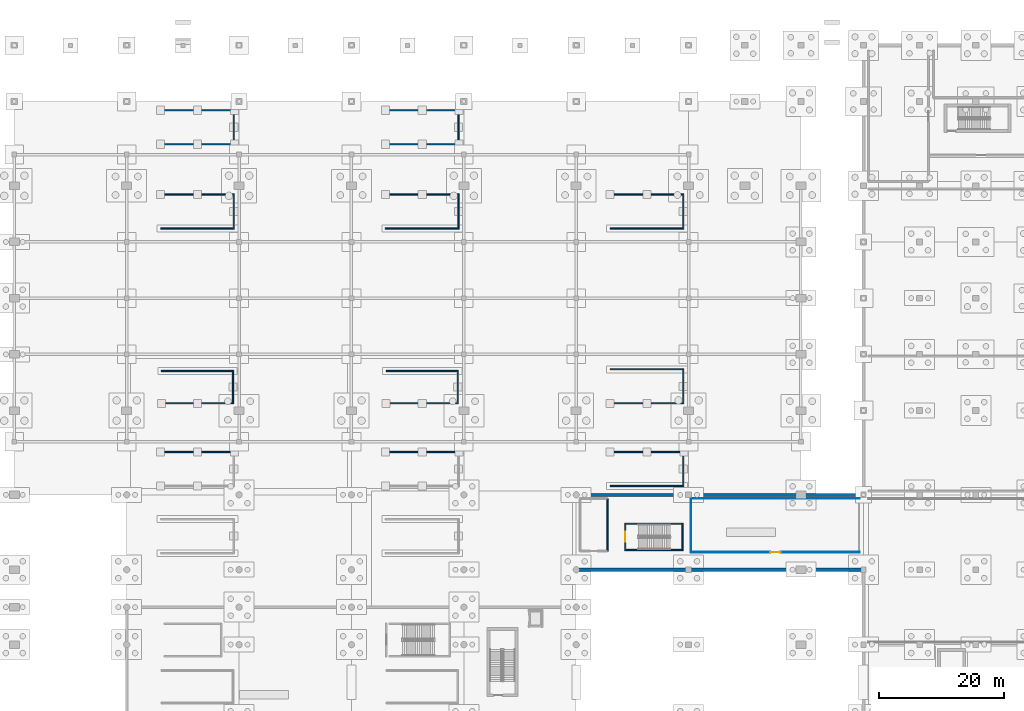
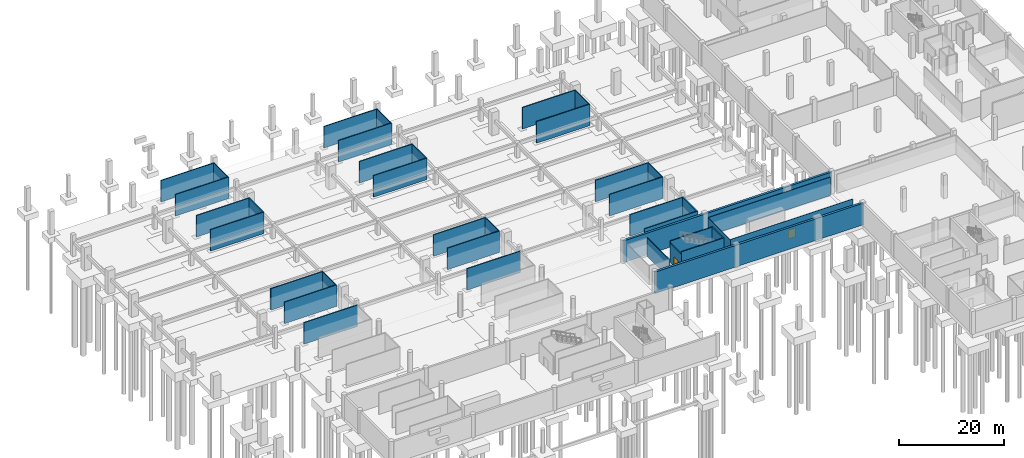
# One storey, part 13 of 26: 39 walls, 2 doors, 2 openings.
"""IFC4 building model written with IfcOpenShell, lengths in metres."""

from ifc_helpers import new_model, si_unit, direction, frame, frame_2d, origin, place, context, subcontext, project, spatial, rectangle, extrude, material, layer, layer_set, type_object, element, fill, save


model = new_model("IFC4")

# Units and contexts
model_context = context("Model", 3, precision=1e-05, world=origin(), true_north=direction((0.0, 1.0)))
body_context = subcontext(model_context, "Body", "Model", "MODEL_VIEW")
ifc_project = project(units=[si_unit("LENGTHUNIT", "METRE"), si_unit("AREAUNIT", "SQUARE_METRE"), si_unit("VOLUMEUNIT", "CUBIC_METRE"), si_unit("PLANEANGLEUNIT", "RADIAN"), si_unit("MASSUNIT", "GRAM", prefix="KILO")], contexts=[model_context])

# Site, building, storey
site_placement = place(None, origin())
site = spatial("IfcSite", under=ifc_project, at=site_placement, CompositionType="ELEMENT")
building_placement = place(site_placement, origin())
building = spatial("IfcBuilding", under=site, at=building_placement, Name="Chuanluo Vaults Station", CompositionType="ELEMENT")
storey_placement = place(building_placement, frame((0.0, 0.0, -5.39990234375)))
storey = spatial("IfcBuildingStorey", under=building, at=storey_placement, Name="B1", CompositionType="ELEMENT", Elevation=-5.39990234375)

# Wall, opening, door
ifc_material_1 = material(Name="Masonry blockwork M10", Category="masonry")
ifc_layer_1 = layer(ifc_material_1, 0.10009765625)
ifc_layer_set_1 = layer_set([ifc_layer_1], Name="Masonry blockwork M10")
wall_type_1 = type_object("IfcWallType", Name="WL-PRT-100", PredefinedType="PARTITIONING", material=ifc_layer_set_1)
wall_1_placement = place(storey_placement, frame((135.39990234375, 44.800048828125, 0.0), z_axis=(0.0, 0.0, 1.0), x_axis=(-1.0, 0.0, 0.0)))
wall_1 = element("IfcWall", 1, at=wall_1_placement, inside=storey, type_object=wall_type_1, Name="B1-04 Metro Interchange Ticket Hall S partition", PredefinedType="PARTITIONING", context=body_context, shape_type="SweptSolid", body=[
    extrude(rectangle(XDim=27.0, YDim=0.10009765625, at=frame_2d((13.5, 0.0))), origin(), (0.0, 0.0, 1.0), 4.39990234375),
])
opening_1_placement = place(wall_1_placement, frame((12.675048828125, 0.0, 0.0)))
opening_1 = element("IfcOpeningElement", 2, at=opening_1_placement, cuts=wall_1, Name="Opening D-I02", PredefinedType="OPENING", context=body_context, shape_type="SweptSolid", body=[
    extrude(rectangle(XDim=1.64990234375, YDim=2.10009765625, at=frame_2d((0.824951171875, 1.050048828125))), frame((0.0, 0.06005, 0.0), z_axis=(0.0, -1.0, 0.0), x_axis=(1.0, 0.0, 0.0)), (0.0, 0.0, 1.0), 0.1201),
])
ifc_material_2 = material(Name="Anodised aluminium 6063-T6", Category="aluminium")
door_type_1 = type_object("IfcDoorType", Name="DR-INT-1650x2100", OperationType="NOTDEFINED", PredefinedType="DOOR", material=ifc_material_2)
door_1_placement = place(opening_1_placement, origin())
door_1 = element("IfcDoor", 3, at=door_1_placement, inside=storey, type_object=door_type_1, Name="D-131 Metro Interchange Ticket Hall door", OperationType="SINGLE_SWING_RIGHT", OverallHeight=2.10009765625, OverallWidth=1.64990234375, PredefinedType="DOOR", context=body_context, shape_type="SweptSolid", body=[
    extrude(rectangle(XDim=1.64990234375, YDim=2.10009765625, at=frame_2d((0.824951171875, 1.050048828125))), frame((0.0, 0.02490234375, 0.0), z_axis=(0.0, -1.0, 0.0), x_axis=(1.0, 0.0, 0.0)), (0.0, 0.0, 1.0), 0.050048828125),
])
fill(opening_1, door_1)

# Walls
wall_2_placement = place(storey_placement, frame((108.39990234375, 53.39990234375, 0.0), z_axis=(0.0, 0.0, 1.0), x_axis=(1.0, 0.0, 0.0)))
element("IfcWall", 4, at=wall_2_placement, inside=storey, type_object=wall_type_1, Name="B1-04 Metro Interchange Ticket Hall N partition", PredefinedType="PARTITIONING", context=body_context, shape_type="SweptSolid", body=[
    extrude(rectangle(XDim=27.0, YDim=0.10009765625, at=frame_2d((13.5, 0.0))), origin(), (0.0, 0.0, 1.0), 4.294921875),
])
wall_3_placement = place(storey_placement, frame((108.39990234375, 44.800048828125, 0.0), z_axis=(0.0, 0.0, 1.0), x_axis=(0.0, 1.0, 0.0)))
element("IfcWall", 5, at=wall_3_placement, inside=storey, type_object=wall_type_1, Name="B1-04 Metro Interchange Ticket Hall W partition", PredefinedType="PARTITIONING", context=body_context, shape_type="SweptSolid", body=[
    extrude(rectangle(XDim=8.599853515625, YDim=0.10009765625, at=frame_2d((4.2998046875, 0.0))), origin(), (0.0, 0.0, 1.0), 4.294921875),
])
ifc_material_3 = material(Name="Autoclaved aerated concrete blockwork MU10", Category="masonry")
ifc_layer_2 = layer(ifc_material_3, 0.18994140625)
ifc_layer_set_2 = layer_set([ifc_layer_2], Name="Autoclaved aerated concrete blockwork MU10")
wall_type_2 = type_object("IfcWallType", Name="WL-PRT-190", PredefinedType="PARTITIONING", material=ifc_layer_set_2)
wall_4_placement = place(storey_placement, frame((95.0, 53.39990234375, 0.0), z_axis=(0.0, 0.0, 1.0), x_axis=(0.0, -1.0, 0.0)))
element("IfcWall", 6, at=wall_4_placement, inside=storey, type_object=wall_type_2, Name="B1-04B Metro Faregate Control Room E partition", PredefinedType="PARTITIONING", context=body_context, shape_type="SweptSolid", body=[
    extrude(rectangle(XDim=8.39990234375, YDim=0.18994140625, at=frame_2d((4.199951171875, 0.0))), origin(), (0.0, 0.0, 1.0), 4.294921875),
])
ifc_material_4 = material(Name="Concrete C40", Category="concrete")
ifc_layer_3 = layer(ifc_material_4, 0.5)
ifc_layer_set_3 = layer_set([ifc_layer_3], Name="Concrete C40")
wall_type_3 = type_object("IfcWallType", Name="WL-RET-500", PredefinedType="USERDEFINED", material=ifc_layer_set_3)
for number, where, z_axis, x_axis, name in (
    (7, (90.0, 54.0, 0.0), (0.0, 0.0, 1.0), (1.0, 0.0, 0.0), "Basement perimeter retaining wall 07"),
    (8, (136.0, 42.0, 0.0), (0.0, 0.0, 1.0), (-1.0, 0.0, 0.0), "Basement perimeter retaining wall 08"),
):
    element("IfcWall", number, at=place(storey_placement, frame(where, z_axis=z_axis, x_axis=x_axis)), inside=storey, type_object=wall_type_3, Name=name, ObjectType="RETAININGWALL", PredefinedType="USERDEFINED", context=body_context, shape_type="SweptSolid", body=[
        extrude(rectangle(XDim=46.0, YDim=0.5, at=frame_2d((23.0, 0.0))), origin(), (0.0, 0.0, 1.0), 5.0498046875),
    ])
ifc_material_5 = material(Name="Concrete C40", Category="concrete")
ifc_layer_4 = layer(ifc_material_5, 0.199951171875)
ifc_layer_set_4 = layer_set([ifc_layer_4], Name="Concrete C40")
wall_type_4 = type_object("IfcWallType", Name="WL-SHF-200", PredefinedType="SOLIDWALL", material=ifc_layer_set_4)
for number, where, z_axis, x_axis, name in (
    (9, (35.25, 60.85009765625, 0.0), (0.0, 0.0, 1.0), (-1.0, 0.0, 0.0), "Stair ST-07 north shaft wall B1"),
    (10, (71.25, 60.85009765625, 0.0), (0.0, 0.0, 1.0), (-1.0, 0.0, 0.0), "Stair ST-08 north shaft wall B1"),
    (11, (95.425048828125, 55.39990234375, 0.0), (0.0, 0.0, 1.0), (1.0, 0.0, 0.0), "Stair ST-09 south shaft wall B1"),
    (12, (107.25, 60.85009765625, 0.0), (0.0, 0.0, 1.0), (-1.0, 0.0, 0.0), "Stair ST-09 north shaft wall B1"),
):
    element("IfcWall", number, at=place(storey_placement, frame(where, z_axis=z_axis, x_axis=x_axis)), inside=storey, type_object=wall_type_4, Name=name, PredefinedType="SOLIDWALL", context=body_context, shape_type="SweptSolid", body=[
        extrude(rectangle(XDim=11.824951171875, YDim=0.199951171875, at=frame_2d((5.91259765625, 0.0))), origin(), (0.0, 0.0, 1.0), 5.02001953125),
    ])
wall_5_placement = place(storey_placement, frame((107.14990234375, 55.300048828125, 0.0), z_axis=(0.0, 0.0, 1.0), x_axis=(0.0, 1.0, 0.0)))
element("IfcWall", 13, at=wall_5_placement, inside=storey, type_object=wall_type_4, Name="Stair ST-09 far shaft wall B1", PredefinedType="SOLIDWALL", context=body_context, shape_type="SweptSolid", body=[
    extrude(rectangle(XDim=5.64990234375, YDim=0.199951171875, at=frame_2d((2.824951171875, 0.0))), origin(), (0.0, 0.0, 1.0), 5.02001953125),
])
for number, where, z_axis, x_axis, name in (
    (14, (23.550048828125, 68.64990234375, 0.0), (0.0, 0.0, 1.0), (1.0, 0.0, 0.0), "Stair ST-10 south shaft wall B1"),
    (15, (35.125, 73.85009765625, 0.0), (0.0, 0.0, 1.0), (-1.0, 0.0, 0.0), "Stair ST-10 north shaft wall B1"),
):
    element("IfcWall", number, at=place(storey_placement, frame(where, z_axis=z_axis, x_axis=x_axis)), inside=storey, type_object=wall_type_4, Name=name, PredefinedType="SOLIDWALL", context=body_context, shape_type="SweptSolid", body=[
        extrude(rectangle(XDim=11.574951171875, YDim=0.199951171875, at=frame_2d((5.78759765625, 0.0))), origin(), (0.0, 0.0, 1.0), 5.02001953125),
    ])
wall_6_placement = place(storey_placement, frame((35.02490234375, 68.550048828125, 0.0), z_axis=(0.0, 0.0, 1.0), x_axis=(0.0, 1.0, 0.0)))
element("IfcWall", 16, at=wall_6_placement, inside=storey, type_object=wall_type_4, Name="Stair ST-10 far shaft wall B1", PredefinedType="SOLIDWALL", context=body_context, shape_type="SweptSolid", body=[
    extrude(rectangle(XDim=5.39990234375, YDim=0.199951171875, at=frame_2d((2.699951171875, 0.0))), origin(), (0.0, 0.0, 1.0), 5.02001953125),
])
for number, where, z_axis, x_axis, name in (
    (17, (59.550048828125, 68.64990234375, 0.0), (0.0, 0.0, 1.0), (1.0, 0.0, 0.0), "Stair ST-11 south shaft wall B1"),
    (18, (71.125, 73.85009765625, 0.0), (0.0, 0.0, 1.0), (-1.0, 0.0, 0.0), "Stair ST-11 north shaft wall B1"),
):
    element("IfcWall", number, at=place(storey_placement, frame(where, z_axis=z_axis, x_axis=x_axis)), inside=storey, type_object=wall_type_4, Name=name, PredefinedType="SOLIDWALL", context=body_context, shape_type="SweptSolid", body=[
        extrude(rectangle(XDim=11.574951171875, YDim=0.199951171875, at=frame_2d((5.78759765625, 0.0))), origin(), (0.0, 0.0, 1.0), 5.02001953125),
    ])
wall_7_placement = place(storey_placement, frame((71.02490234375, 68.550048828125, 0.0), z_axis=(0.0, 0.0, 1.0), x_axis=(0.0, 1.0, 0.0)))
element("IfcWall", 19, at=wall_7_placement, inside=storey, type_object=wall_type_4, Name="Stair ST-11 far shaft wall B1", PredefinedType="SOLIDWALL", context=body_context, shape_type="SweptSolid", body=[
    extrude(rectangle(XDim=5.39990234375, YDim=0.199951171875, at=frame_2d((2.699951171875, 0.0))), origin(), (0.0, 0.0, 1.0), 5.02001953125),
])
for number, where, z_axis, x_axis, name in (
    (20, (95.425048828125, 68.64990234375, 0.0), (0.0, 0.0, 1.0), (1.0, 0.0, 0.0), "Stair ST-12 south shaft wall B1"),
    (21, (107.25, 74.10009765625, 0.0), (0.0, 0.0, 1.0), (-1.0, 0.0, 0.0), "Stair ST-12 north shaft wall B1"),
):
    element("IfcWall", number, at=place(storey_placement, frame(where, z_axis=z_axis, x_axis=x_axis)), inside=storey, type_object=wall_type_4, Name=name, PredefinedType="SOLIDWALL", context=body_context, shape_type="SweptSolid", body=[
        extrude(rectangle(XDim=11.824951171875, YDim=0.199951171875, at=frame_2d((5.91259765625, 0.0))), origin(), (0.0, 0.0, 1.0), 5.02001953125),
    ])
wall_8_placement = place(storey_placement, frame((107.14990234375, 68.550048828125, 0.0), z_axis=(0.0, 0.0, 1.0), x_axis=(0.0, 1.0, 0.0)))
element("IfcWall", 22, at=wall_8_placement, inside=storey, type_object=wall_type_4, Name="Stair ST-12 far shaft wall B1", PredefinedType="SOLIDWALL", context=body_context, shape_type="SweptSolid", body=[
    extrude(rectangle(XDim=5.64990234375, YDim=0.199951171875, at=frame_2d((2.824951171875, 0.0))), origin(), (0.0, 0.0, 1.0), 5.02001953125),
])
for number, where, z_axis, x_axis, name in (
    (23, (23.425048828125, 96.64990234375, 0.0), (0.0, 0.0, 1.0), (1.0, 0.0, 0.0), "Stair ST-13 south shaft wall B1"),
    (24, (35.25, 102.10009765625, 0.0), (0.0, 0.0, 1.0), (-1.0, 0.0, 0.0), "Stair ST-13 north shaft wall B1"),
):
    element("IfcWall", number, at=place(storey_placement, frame(where, z_axis=z_axis, x_axis=x_axis)), inside=storey, type_object=wall_type_4, Name=name, PredefinedType="SOLIDWALL", context=body_context, shape_type="SweptSolid", body=[
        extrude(rectangle(XDim=11.824951171875, YDim=0.199951171875, at=frame_2d((5.91259765625, 0.0))), origin(), (0.0, 0.0, 1.0), 5.02001953125),
    ])
wall_9_placement = place(storey_placement, frame((35.14990234375, 96.550048828125, 0.0), z_axis=(0.0, 0.0, 1.0), x_axis=(0.0, 1.0, 0.0)))
element("IfcWall", 25, at=wall_9_placement, inside=storey, type_object=wall_type_4, Name="Stair ST-13 far shaft wall B1", PredefinedType="SOLIDWALL", context=body_context, shape_type="SweptSolid", body=[
    extrude(rectangle(XDim=5.64990234375, YDim=0.199951171875, at=frame_2d((2.824951171875, 0.0))), origin(), (0.0, 0.0, 1.0), 5.02001953125),
])
for number, where, z_axis, x_axis, name in (
    (26, (59.425048828125, 96.64990234375, 0.0), (0.0, 0.0, 1.0), (1.0, 0.0, 0.0), "Stair ST-14 south shaft wall B1"),
    (27, (71.25, 102.10009765625, 0.0), (0.0, 0.0, 1.0), (-1.0, 0.0, 0.0), "Stair ST-14 north shaft wall B1"),
):
    element("IfcWall", number, at=place(storey_placement, frame(where, z_axis=z_axis, x_axis=x_axis)), inside=storey, type_object=wall_type_4, Name=name, PredefinedType="SOLIDWALL", context=body_context, shape_type="SweptSolid", body=[
        extrude(rectangle(XDim=11.824951171875, YDim=0.199951171875, at=frame_2d((5.91259765625, 0.0))), origin(), (0.0, 0.0, 1.0), 5.02001953125),
    ])
wall_10_placement = place(storey_placement, frame((71.14990234375, 96.550048828125, 0.0), z_axis=(0.0, 0.0, 1.0), x_axis=(0.0, 1.0, 0.0)))
element("IfcWall", 28, at=wall_10_placement, inside=storey, type_object=wall_type_4, Name="Stair ST-14 far shaft wall B1", PredefinedType="SOLIDWALL", context=body_context, shape_type="SweptSolid", body=[
    extrude(rectangle(XDim=5.64990234375, YDim=0.199951171875, at=frame_2d((2.824951171875, 0.0))), origin(), (0.0, 0.0, 1.0), 5.02001953125),
])
for number, where, z_axis, x_axis, name in (
    (29, (95.425048828125, 96.64990234375, 0.0), (0.0, 0.0, 1.0), (1.0, 0.0, 0.0), "Stair ST-15 south shaft wall B1"),
    (30, (107.25, 102.10009765625, 0.0), (0.0, 0.0, 1.0), (-1.0, 0.0, 0.0), "Stair ST-15 north shaft wall B1"),
):
    element("IfcWall", number, at=place(storey_placement, frame(where, z_axis=z_axis, x_axis=x_axis)), inside=storey, type_object=wall_type_4, Name=name, PredefinedType="SOLIDWALL", context=body_context, shape_type="SweptSolid", body=[
        extrude(rectangle(XDim=11.824951171875, YDim=0.199951171875, at=frame_2d((5.91259765625, 0.0))), origin(), (0.0, 0.0, 1.0), 5.02001953125),
    ])
wall_11_placement = place(storey_placement, frame((107.14990234375, 96.550048828125, 0.0), z_axis=(0.0, 0.0, 1.0), x_axis=(0.0, 1.0, 0.0)))
element("IfcWall", 31, at=wall_11_placement, inside=storey, type_object=wall_type_4, Name="Stair ST-15 far shaft wall B1", PredefinedType="SOLIDWALL", context=body_context, shape_type="SweptSolid", body=[
    extrude(rectangle(XDim=5.64990234375, YDim=0.199951171875, at=frame_2d((2.824951171875, 0.0))), origin(), (0.0, 0.0, 1.0), 5.02001953125),
])
for number, where, z_axis, x_axis, name in (
    (32, (23.425048828125, 110.14990234375, 0.0), (0.0, 0.0, 1.0), (1.0, 0.0, 0.0), "Stair ST-16 south shaft wall B1"),
    (33, (35.25, 115.60009765625, 0.0), (0.0, 0.0, 1.0), (-1.0, 0.0, 0.0), "Stair ST-16 north shaft wall B1"),
):
    element("IfcWall", number, at=place(storey_placement, frame(where, z_axis=z_axis, x_axis=x_axis)), inside=storey, type_object=wall_type_4, Name=name, PredefinedType="SOLIDWALL", context=body_context, shape_type="SweptSolid", body=[
        extrude(rectangle(XDim=11.824951171875, YDim=0.199951171875, at=frame_2d((5.91259765625, 0.0))), origin(), (0.0, 0.0, 1.0), 5.02001953125),
    ])
wall_12_placement = place(storey_placement, frame((35.14990234375, 110.050048828125, 0.0), z_axis=(0.0, 0.0, 1.0), x_axis=(0.0, 1.0, 0.0)))
element("IfcWall", 34, at=wall_12_placement, inside=storey, type_object=wall_type_4, Name="Stair ST-16 far shaft wall B1", PredefinedType="SOLIDWALL", context=body_context, shape_type="SweptSolid", body=[
    extrude(rectangle(XDim=5.64990234375, YDim=0.199951171875, at=frame_2d((2.824951171875, 0.0))), origin(), (0.0, 0.0, 1.0), 5.02001953125),
])
for number, where, z_axis, x_axis, name in (
    (35, (59.425048828125, 110.14990234375, 0.0), (0.0, 0.0, 1.0), (1.0, 0.0, 0.0), "Stair ST-17 south shaft wall B1"),
    (36, (71.25, 115.60009765625, 0.0), (0.0, 0.0, 1.0), (-1.0, 0.0, 0.0), "Stair ST-17 north shaft wall B1"),
):
    element("IfcWall", number, at=place(storey_placement, frame(where, z_axis=z_axis, x_axis=x_axis)), inside=storey, type_object=wall_type_4, Name=name, PredefinedType="SOLIDWALL", context=body_context, shape_type="SweptSolid", body=[
        extrude(rectangle(XDim=11.824951171875, YDim=0.199951171875, at=frame_2d((5.91259765625, 0.0))), origin(), (0.0, 0.0, 1.0), 5.02001953125),
    ])
wall_13_placement = place(storey_placement, frame((71.14990234375, 110.050048828125, 0.0), z_axis=(0.0, 0.0, 1.0), x_axis=(0.0, 1.0, 0.0)))
element("IfcWall", 37, at=wall_13_placement, inside=storey, type_object=wall_type_4, Name="Stair ST-17 far shaft wall B1", PredefinedType="SOLIDWALL", context=body_context, shape_type="SweptSolid", body=[
    extrude(rectangle(XDim=5.64990234375, YDim=0.199951171875, at=frame_2d((2.824951171875, 0.0))), origin(), (0.0, 0.0, 1.0), 5.02001953125),
])
for number, where, z_axis, x_axis, name in (
    (38, (97.737548828125, 45.14990234375, 0.0), (0.0, 0.0, 1.0), (1.0, 0.0, 0.0), "Stair ST-25 south shaft wall B1"),
    (39, (107.112548828125, 49.35009765625, 0.0), (0.0, 0.0, 1.0), (-1.0, 0.0, 0.0), "Stair ST-25 north shaft wall B1"),
):
    element("IfcWall", number, at=place(storey_placement, frame(where, z_axis=z_axis, x_axis=x_axis)), inside=storey, type_object=wall_type_4, Name=name, PredefinedType="SOLIDWALL", context=body_context, shape_type="SweptSolid", body=[
        extrude(rectangle(XDim=9.375, YDim=0.199951171875, at=frame_2d((4.6875, 0.0))), origin(), (0.0, 0.0, 1.0), 5.0498046875),
    ])
wall_14_placement = place(storey_placement, frame((107.012451171875, 45.050048828125, 0.0), z_axis=(0.0, 0.0, 1.0), x_axis=(0.0, 1.0, 0.0)))
element("IfcWall", 40, at=wall_14_placement, inside=storey, type_object=wall_type_4, Name="Stair ST-25 far shaft wall B1", PredefinedType="SOLIDWALL", context=body_context, shape_type="SweptSolid", body=[
    extrude(rectangle(XDim=4.39990234375, YDim=0.199951171875, at=frame_2d((2.199951171875, 0.0))), origin(), (0.0, 0.0, 1.0), 5.0498046875),
])

# Wall, opening, door
wall_15_placement = place(storey_placement, frame((97.83740234375, 49.449951171875, 0.0), z_axis=(0.0, 0.0, 1.0), x_axis=(0.0, -1.0, 0.0)))
wall_15 = element("IfcWall", 41, at=wall_15_placement, inside=storey, type_object=wall_type_4, Name="Stair ST-25 vestibule wall B1", PredefinedType="SOLIDWALL", context=body_context, shape_type="SweptSolid", body=[
    extrude(rectangle(XDim=4.39990234375, YDim=0.199951171875, at=frame_2d((2.199951171875, 0.0))), origin(), (0.0, 0.0, 1.0), 4.39990234375),
])
opening_2_placement = place(wall_15_placement, frame((1.39990234375, 0.0, 0.0)))
opening_2 = element("IfcOpeningElement", 42, at=opening_2_placement, cuts=wall_15, Name="Opening FD-02", PredefinedType="OPENING", context=body_context, shape_type="SweptSolid", body=[
    extrude(rectangle(XDim=1.60009765625, YDim=2.14990234375, at=frame_2d((0.800048828125, 1.074951171875))), frame((0.0, 0.1101, 0.0), z_axis=(0.0, -1.0, 0.0), x_axis=(1.0, 0.0, 0.0)), (0.0, 0.0, 1.0), 0.21995),
])
ifc_material_6 = material(Name="Fire-rated steel leaf", Category="steel")
door_type_2 = type_object("IfcDoorType", Name="DR-FIR-1600x2150", OperationType="NOTDEFINED", PredefinedType="DOOR", material=ifc_material_6)
door_2_placement = place(opening_2_placement, origin())
door_2 = element("IfcDoor", 43, at=door_2_placement, inside=storey, type_object=door_type_2, Name="D-129 Stair ST-25 fire door B1", OperationType="SINGLE_SWING_RIGHT", OverallHeight=2.14990234375, OverallWidth=1.60009765625, PredefinedType="DOOR", context=body_context, shape_type="SweptSolid", body=[
    extrude(rectangle(XDim=1.60009765625, YDim=2.14990234375, at=frame_2d((0.800048828125, 1.074951171875))), frame((0.0, 0.02490234375, 0.0), z_axis=(0.0, -1.0, 0.0), x_axis=(1.0, 0.0, 0.0)), (0.0, 0.0, 1.0), 0.050048828125),
])
fill(opening_2, door_2)

save(model, "model.ifc")
